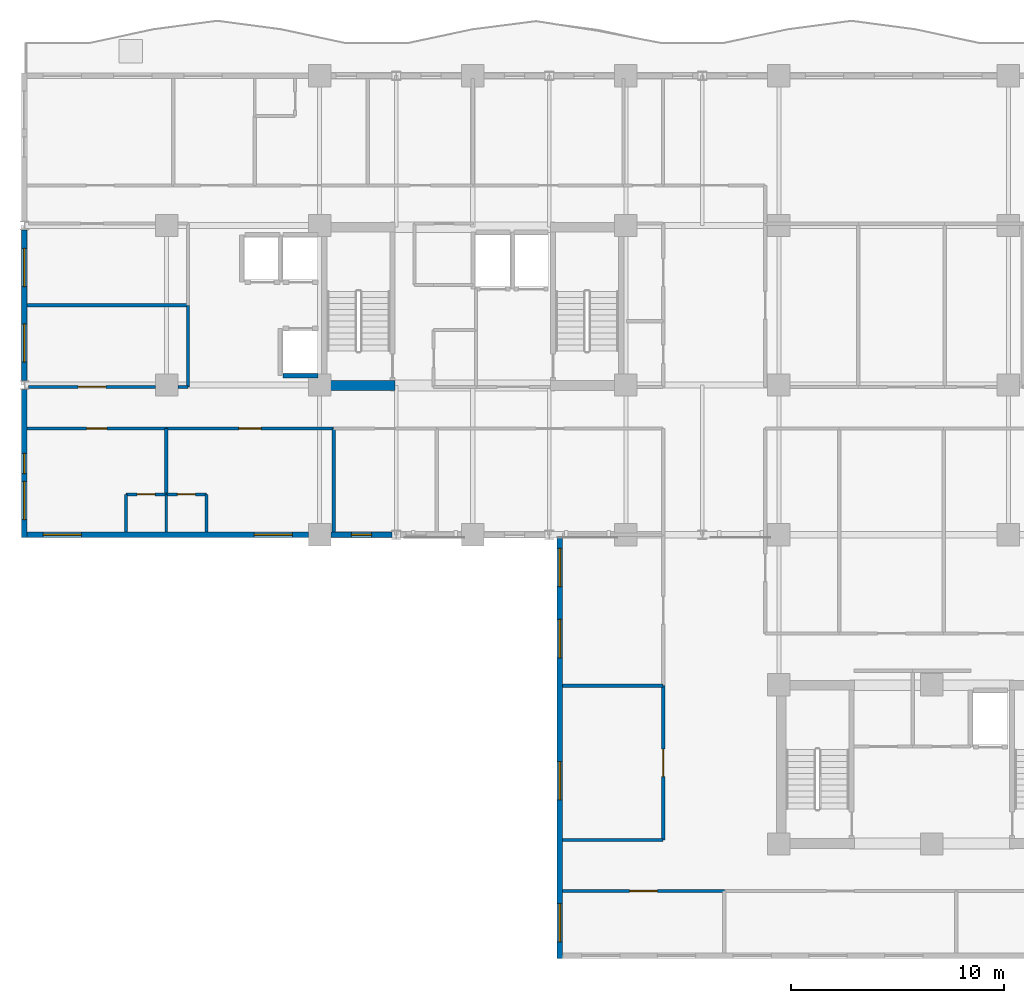
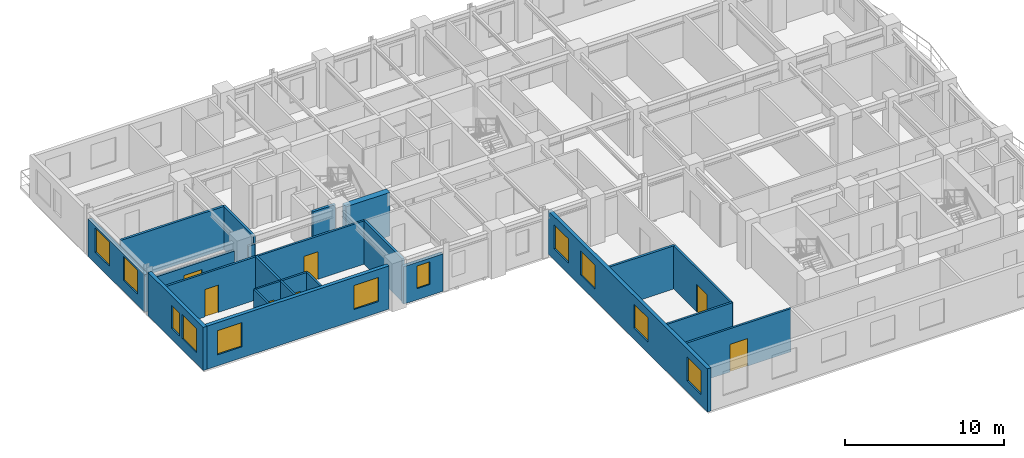
# One storey, part 4 of 13: 24 walls, 11 windows, 7 doors, 18 openings.
"""IFC4 building model written with IfcOpenShell, lengths in metres."""

from ifc_helpers import new_model, si_unit, direction, frame, frame_2d, origin, place, context, subcontext, project, spatial, rectangle, extrude, material, layer, layer_set, type_object, element, fill, save


model = new_model("IFC4")

# Units and contexts
model_context = context("Model", 3, precision=1e-05, world=origin(), true_north=direction((0.0, 1.0)))
body_context = subcontext(model_context, "Body", "Model", "MODEL_VIEW")
ifc_project = project(units=[si_unit("LENGTHUNIT", "METRE"), si_unit("AREAUNIT", "SQUARE_METRE"), si_unit("VOLUMEUNIT", "CUBIC_METRE"), si_unit("PLANEANGLEUNIT", "RADIAN"), si_unit("MASSUNIT", "GRAM", prefix="KILO")], contexts=[model_context])

# Site, building, storey
site_placement = place(None, origin())
site = spatial("IfcSite", under=ifc_project, at=site_placement, CompositionType="ELEMENT")
building_placement = place(site_placement, origin())
building = spatial("IfcBuilding", under=site, at=building_placement, Name="Kaliganga Portal Commons", CompositionType="ELEMENT")
storey_placement = place(building_placement, frame((0.0, 0.0, 188.300048828125)))
storey = spatial("IfcBuildingStorey", under=building, at=storey_placement, Name="L48", CompositionType="ELEMENT", Elevation=188.300048828125)

# Wall
ifc_material_1 = material(Name="Concrete C60/75", Category="concrete")
ifc_layer_1 = layer(ifc_material_1, 0.449951171875)
ifc_layer_set_1 = layer_set([ifc_layer_1], Name="Concrete C60/75")
wall_type_1 = type_object("IfcWallType", Name="WL-CORE-450", PredefinedType="SHEAR", material=ifc_layer_set_1)
wall_1_placement = place(storey_placement, frame((14.75, 28.625, 0.0), z_axis=(0.0, 0.0, 1.0), x_axis=(1.0, 0.0, 0.0)))
element("IfcWall", 1, at=wall_1_placement, inside=storey, type_object=wall_type_1, Name="Core A S-West Shear Wall L48", PredefinedType="SHEAR", context=body_context, shape_type="SweptSolid", body=[
    extrude(rectangle(XDim=3.199951171875, YDim=0.449951171875, at=frame_2d((1.60009765625, 0.0))), origin(), (0.0, 0.0, 1.0), 3.33984375),
])

# Wall, openings, windows
ifc_material_2 = material(Name="Insulated Aluminium-Clad Spandrel Assembly", Category="aluminium")
ifc_layer_2 = layer(ifc_material_2, 0.260009765625)
ifc_layer_set_2 = layer_set([ifc_layer_2], Name="Insulated Aluminium-Clad Spandrel Assembly")
wall_type_2 = type_object("IfcWallType", Name="WL-EXT-SPAND-260", PredefinedType="STANDARD", material=ifc_layer_set_2)
wall_2_placement = place(storey_placement, frame((0.5, 28.85791015625, 0.0), z_axis=(0.0, 0.0, 1.0), x_axis=(0.0, 1.0, 0.0)))
wall_2 = element("IfcWall", 2, at=wall_2_placement, inside=storey, type_object=wall_type_2, Name="Exterior Envelope Wall L48 P1-E03-S2", PredefinedType="STANDARD", context=body_context, shape_type="SweptSolid", body=[
    extrude(rectangle(XDim=7.083984375, YDim=0.260009765625, at=frame_2d((3.5419921875, 0.0))), origin(), (0.0, 0.0, 1.0), 2.869873046875),
])
opening_1_placement = place(wall_2_placement, frame((0.87109375, 0.0, 0.85009765625)))
opening_1 = element("IfcOpeningElement", 3, at=opening_1_placement, cuts=wall_2, Name="Opening W-01", PredefinedType="OPENING", context=body_context, shape_type="SweptSolid", body=[
    extrude(rectangle(XDim=1.800048828125, YDim=1.85009765625, at=frame_2d((0.89990234375, 0.925048828125))), frame((0.0, 0.14013671875, 0.0), z_axis=(0.0, -1.0, 0.0), x_axis=(1.0, 0.0, 0.0)), (0.0, 0.0, 1.0), 0.280029296875),
])
opening_2_placement = place(wall_2_placement, frame((4.4130859375, 0.0, 0.85009765625)))
opening_2 = element("IfcOpeningElement", 4, at=opening_2_placement, cuts=wall_2, Name="Opening W-01", PredefinedType="OPENING", context=body_context, shape_type="SweptSolid", body=[
    extrude(rectangle(XDim=1.800048828125, YDim=1.85009765625, at=frame_2d((0.89990234375, 0.925048828125))), frame((0.0, 0.14013671875, 0.0), z_axis=(0.0, -1.0, 0.0), x_axis=(1.0, 0.0, 0.0)), (0.0, 0.0, 1.0), 0.280029296875),
])
ifc_material_3 = material(Name="Thermally Broken Aluminium and Low-E Double Glazing", Category="aluminium")
window_type_1 = type_object("IfcWindowType", Name="WIN-STD-1800", PartitioningType="DOUBLE_PANEL_VERTICAL", PredefinedType="WINDOW", material=ifc_material_3)
window_1_placement = place(opening_1_placement, origin())
window_1 = element("IfcWindow", 5, at=window_1_placement, inside=storey, type_object=window_type_1, Name="Facade Window L48-P1E03S2-00", OverallHeight=1.85009765625, OverallWidth=1.800048828125, PartitioningType="SINGLE_PANEL", PredefinedType="WINDOW", context=body_context, shape_type="SweptSolid", body=[
    extrude(rectangle(XDim=1.800048828125, YDim=1.85009765625, at=frame_2d((0.89990234375, 0.925048828125))), frame((0.0, 0.030029296875, 0.0), z_axis=(0.0, -1.0, 0.0), x_axis=(1.0, 0.0, 0.0)), (0.0, 0.0, 1.0), 0.06005859375),
])
fill(opening_1, window_1)
window_2_placement = place(opening_2_placement, origin())
window_2 = element("IfcWindow", 6, at=window_2_placement, inside=storey, type_object=window_type_1, Name="Facade Window L48-P1E03S2-01", OverallHeight=1.85009765625, OverallWidth=1.800048828125, PartitioningType="SINGLE_PANEL", PredefinedType="WINDOW", context=body_context, shape_type="SweptSolid", body=[
    extrude(rectangle(XDim=1.800048828125, YDim=1.85009765625, at=frame_2d((0.89990234375, 0.925048828125))), frame((0.0, 0.030029296875, 0.0), z_axis=(0.0, -1.0, 0.0), x_axis=(1.0, 0.0, 0.0)), (0.0, 0.0, 1.0), 0.06005859375),
])
fill(opening_2, window_2)

wall_3_placement = place(storey_placement, frame((0.5, 21.469970703125, 0.0), z_axis=(0.0, 0.0, 1.0), x_axis=(0.0, 1.0, 0.0)))
wall_3 = element("IfcWall", 7, at=wall_3_placement, inside=storey, type_object=wall_type_2, Name="Exterior Envelope Wall L48 P1-E03-S3", PredefinedType="STANDARD", context=body_context, shape_type="SweptSolid", body=[
    extrude(rectangle(XDim=6.971923828125, YDim=0.260009765625, at=frame_2d((3.48583984375, 0.0))), origin(), (0.0, 0.0, 1.0), 3.320068359375),
])
opening_3_placement = place(wall_3_placement, frame((0.843017578125, 0.0, 0.85009765625)))
opening_3 = element("IfcOpeningElement", 8, at=opening_3_placement, cuts=wall_3, Name="Opening W-01", PredefinedType="OPENING", context=body_context, shape_type="SweptSolid", body=[
    extrude(rectangle(XDim=1.800048828125, YDim=1.85009765625, at=frame_2d((0.89990234375, 0.925048828125))), frame((0.0, 0.14013671875, 0.0), z_axis=(0.0, -1.0, 0.0), x_axis=(1.0, 0.0, 0.0)), (0.0, 0.0, 1.0), 0.280029296875),
])
opening_4_placement = place(wall_3_placement, frame((3.010986328125, 0.0, 0.85009765625)))
opening_4 = element("IfcOpeningElement", 9, at=opening_4_placement, cuts=wall_3, Name="Opening W-04", PredefinedType="OPENING", context=body_context, shape_type="SweptSolid", body=[
    extrude(rectangle(XDim=0.949951171875, YDim=1.75, at=frame_2d((0.47509765625, 0.875))), frame((0.0, 0.14013671875, 0.0), z_axis=(0.0, -1.0, 0.0), x_axis=(1.0, 0.0, 0.0)), (0.0, 0.0, 1.0), 0.280029296875),
])
window_type_2 = type_object("IfcWindowType", Name="WIN-NARROW-950", PartitioningType="SINGLE_PANEL", PredefinedType="WINDOW", material=ifc_material_3)
window_3_placement = place(opening_4_placement, origin())
window_3 = element("IfcWindow", 10, at=window_3_placement, inside=storey, type_object=window_type_2, Name="Facade Window L48-P1E03S3-N0", OverallHeight=1.75, OverallWidth=0.949951171875, PartitioningType="SINGLE_PANEL", PredefinedType="WINDOW", context=body_context, shape_type="SweptSolid", body=[
    extrude(rectangle(XDim=0.949951171875, YDim=1.75, at=frame_2d((0.47509765625, 0.875))), frame((0.0, 0.030029296875, 0.0), z_axis=(0.0, -1.0, 0.0), x_axis=(1.0, 0.0, 0.0)), (0.0, 0.0, 1.0), 0.06005859375),
])
fill(opening_4, window_3)
window_4_placement = place(opening_3_placement, origin())
window_4 = element("IfcWindow", 11, at=window_4_placement, inside=storey, type_object=window_type_1, Name="Facade Window L48-P1E03S3-00", OverallHeight=1.85009765625, OverallWidth=1.800048828125, PartitioningType="SINGLE_PANEL", PredefinedType="WINDOW", context=body_context, shape_type="SweptSolid", body=[
    extrude(rectangle(XDim=1.800048828125, YDim=1.85009765625, at=frame_2d((0.89990234375, 0.925048828125))), frame((0.0, 0.030029296875, 0.0), z_axis=(0.0, -1.0, 0.0), x_axis=(1.0, 0.0, 0.0)), (0.0, 0.0, 1.0), 0.06005859375),
])
fill(opening_3, window_4)

wall_4_placement = place(storey_placement, frame((13.8740234375, 21.60009765625, 0.0), z_axis=(0.0, 0.0, 1.0), x_axis=(-1.0, 0.0, 0.0)))
wall_4 = element("IfcWall", 12, at=wall_4_placement, inside=storey, type_object=wall_type_2, Name="Exterior Envelope Wall L48 P1-E04-S1", PredefinedType="STANDARD", context=body_context, shape_type="SweptSolid", body=[
    extrude(rectangle(XDim=13.239013671875, YDim=0.260009765625, at=frame_2d((6.61962890625, 0.0))), origin(), (0.0, 0.0, 1.0), 3.320068359375),
])
opening_5_placement = place(wall_4_placement, frame((0.7548828125, 0.0, 0.85009765625)))
opening_5 = element("IfcOpeningElement", 13, at=opening_5_placement, cuts=wall_4, Name="Opening W-01", PredefinedType="OPENING", context=body_context, shape_type="SweptSolid", body=[
    extrude(rectangle(XDim=1.800048828125, YDim=1.85009765625, at=frame_2d((0.89990234375, 0.925048828125))), frame((0.0, 0.14013671875, 0.0), z_axis=(0.0, -1.0, 0.0), x_axis=(1.0, 0.0, 0.0)), (0.0, 0.0, 1.0), 0.280029296875),
])
opening_6_placement = place(wall_4_placement, frame((10.68408203125, 0.0, 0.85009765625)))
opening_6 = element("IfcOpeningElement", 14, at=opening_6_placement, cuts=wall_4, Name="Opening W-01", PredefinedType="OPENING", context=body_context, shape_type="SweptSolid", body=[
    extrude(rectangle(XDim=1.800048828125, YDim=1.85009765625, at=frame_2d((0.89990234375, 0.925048828125))), frame((0.0, 0.14013671875, 0.0), z_axis=(0.0, -1.0, 0.0), x_axis=(1.0, 0.0, 0.0)), (0.0, 0.0, 1.0), 0.280029296875),
])
window_5_placement = place(opening_5_placement, origin())
window_5 = element("IfcWindow", 15, at=window_5_placement, inside=storey, type_object=window_type_1, Name="Facade Window L48-P1E04S1-00", OverallHeight=1.85009765625, OverallWidth=1.800048828125, PartitioningType="SINGLE_PANEL", PredefinedType="WINDOW", context=body_context, shape_type="SweptSolid", body=[
    extrude(rectangle(XDim=1.800048828125, YDim=1.85009765625, at=frame_2d((0.89990234375, 0.925048828125))), frame((0.0, 0.030029296875, 0.0), z_axis=(0.0, -1.0, 0.0), x_axis=(1.0, 0.0, 0.0)), (0.0, 0.0, 1.0), 0.06005859375),
])
fill(opening_5, window_5)
window_6_placement = place(opening_6_placement, origin())
window_6 = element("IfcWindow", 16, at=window_6_placement, inside=storey, type_object=window_type_1, Name="Facade Window L48-P1E04S1-03", OverallHeight=1.85009765625, OverallWidth=1.800048828125, PartitioningType="SINGLE_PANEL", PredefinedType="WINDOW", context=body_context, shape_type="SweptSolid", body=[
    extrude(rectangle(XDim=1.800048828125, YDim=1.85009765625, at=frame_2d((0.89990234375, 0.925048828125))), frame((0.0, 0.030029296875, 0.0), z_axis=(0.0, -1.0, 0.0), x_axis=(1.0, 0.0, 0.0)), (0.0, 0.0, 1.0), 0.06005859375),
])
fill(opening_6, window_6)

# Wall, opening, window
wall_5_placement = place(storey_placement, frame((17.797119140625, 21.60009765625, 0.0), z_axis=(0.0, 0.0, 1.0), x_axis=(-1.0, 0.0, 0.0)))
wall_5 = element("IfcWall", 17, at=wall_5_placement, inside=storey, type_object=wall_type_2, Name="Exterior Envelope Wall L48 P1-E04-S2", PredefinedType="STANDARD", context=body_context, shape_type="SweptSolid", body=[
    extrude(rectangle(XDim=2.87109375, YDim=0.260009765625, at=frame_2d((1.435546875, 0.0))), origin(), (0.0, 0.0, 1.0), 2.869873046875),
])
opening_7_placement = place(wall_5_placement, frame((0.96044921875, 0.0, 0.85009765625)))
opening_7 = element("IfcOpeningElement", 18, at=opening_7_placement, cuts=wall_5, Name="Opening W-04", PredefinedType="OPENING", context=body_context, shape_type="SweptSolid", body=[
    extrude(rectangle(XDim=0.949951171875, YDim=1.75, at=frame_2d((0.47509765625, 0.875))), frame((0.0, 0.14013671875, 0.0), z_axis=(0.0, -1.0, 0.0), x_axis=(1.0, 0.0, 0.0)), (0.0, 0.0, 1.0), 0.280029296875),
])
window_7_placement = place(opening_7_placement, origin())
window_7 = element("IfcWindow", 19, at=window_7_placement, inside=storey, type_object=window_type_2, Name="Facade Window L48-P1E04S2-00", OverallHeight=1.75, OverallWidth=0.949951171875, PartitioningType="SINGLE_PANEL", PredefinedType="WINDOW", context=body_context, shape_type="SweptSolid", body=[
    extrude(rectangle(XDim=0.949951171875, YDim=1.75, at=frame_2d((0.47509765625, 0.875))), frame((0.0, 0.030029296875, 0.0), z_axis=(0.0, -1.0, 0.0), x_axis=(1.0, 0.0, 0.0)), (0.0, 0.0, 1.0), 0.06005859375),
])
fill(opening_7, window_7)

# Wall, openings, windows
wall_6_placement = place(storey_placement, frame((25.699951171875, 1.669921875, 0.0), z_axis=(0.0, 0.0, 1.0), x_axis=(0.0, 1.0, 0.0)))
wall_6 = element("IfcWall", 20, at=wall_6_placement, inside=storey, type_object=wall_type_2, Name="Exterior Envelope Wall L48 P1-E05-S1", PredefinedType="STANDARD", context=body_context, shape_type="SweptSolid", body=[
    extrude(rectangle(XDim=20.06005859375, YDim=0.260009765625, at=frame_2d((10.030029296875, 0.0))), origin(), (0.0, 0.0, 1.0), 3.320068359375),
])
opening_8_placement = place(wall_6_placement, frame((0.771728515625, 0.0, 0.85009765625)))
opening_8 = element("IfcOpeningElement", 21, at=opening_8_placement, cuts=wall_6, Name="Opening W-01", PredefinedType="OPENING", context=body_context, shape_type="SweptSolid", body=[
    extrude(rectangle(XDim=1.800048828125, YDim=1.85009765625, at=frame_2d((0.89990234375, 0.925048828125))), frame((0.0, 0.14013671875, 0.0), z_axis=(0.0, -1.0, 0.0), x_axis=(1.0, 0.0, 0.0)), (0.0, 0.0, 1.0), 0.280029296875),
])
opening_9_placement = place(wall_6_placement, frame((7.458251953125, 0.0, 0.85009765625)))
opening_9 = element("IfcOpeningElement", 22, at=opening_9_placement, cuts=wall_6, Name="Opening W-01", PredefinedType="OPENING", context=body_context, shape_type="SweptSolid", body=[
    extrude(rectangle(XDim=1.800048828125, YDim=1.85009765625, at=frame_2d((0.89990234375, 0.925048828125))), frame((0.0, 0.14013671875, 0.0), z_axis=(0.0, -1.0, 0.0), x_axis=(1.0, 0.0, 0.0)), (0.0, 0.0, 1.0), 0.280029296875),
])
opening_10_placement = place(wall_6_placement, frame((14.14501953125, 0.0, 0.85009765625)))
opening_10 = element("IfcOpeningElement", 23, at=opening_10_placement, cuts=wall_6, Name="Opening W-01", PredefinedType="OPENING", context=body_context, shape_type="SweptSolid", body=[
    extrude(rectangle(XDim=1.800048828125, YDim=1.85009765625, at=frame_2d((0.89990234375, 0.925048828125))), frame((0.0, 0.14013671875, 0.0), z_axis=(0.0, -1.0, 0.0), x_axis=(1.0, 0.0, 0.0)), (0.0, 0.0, 1.0), 0.280029296875),
])
opening_11_placement = place(wall_6_placement, frame((17.48828125, 0.0, 0.85009765625)))
opening_11 = element("IfcOpeningElement", 24, at=opening_11_placement, cuts=wall_6, Name="Opening W-01", PredefinedType="OPENING", context=body_context, shape_type="SweptSolid", body=[
    extrude(rectangle(XDim=1.800048828125, YDim=1.85009765625, at=frame_2d((0.89990234375, 0.925048828125))), frame((0.0, 0.14013671875, 0.0), z_axis=(0.0, -1.0, 0.0), x_axis=(1.0, 0.0, 0.0)), (0.0, 0.0, 1.0), 0.280029296875),
])
window_8_placement = place(opening_8_placement, origin())
window_8 = element("IfcWindow", 25, at=window_8_placement, inside=storey, type_object=window_type_1, Name="Facade Window L48-P1E05S1-00", OverallHeight=1.85009765625, OverallWidth=1.800048828125, PartitioningType="SINGLE_PANEL", PredefinedType="WINDOW", context=body_context, shape_type="SweptSolid", body=[
    extrude(rectangle(XDim=1.800048828125, YDim=1.85009765625, at=frame_2d((0.89990234375, 0.925048828125))), frame((0.0, 0.030029296875, 0.0), z_axis=(0.0, -1.0, 0.0), x_axis=(1.0, 0.0, 0.0)), (0.0, 0.0, 1.0), 0.06005859375),
])
fill(opening_8, window_8)
window_9_placement = place(opening_9_placement, origin())
window_9 = element("IfcWindow", 26, at=window_9_placement, inside=storey, type_object=window_type_1, Name="Facade Window L48-P1E05S1-02", OverallHeight=1.85009765625, OverallWidth=1.800048828125, PartitioningType="SINGLE_PANEL", PredefinedType="WINDOW", context=body_context, shape_type="SweptSolid", body=[
    extrude(rectangle(XDim=1.800048828125, YDim=1.85009765625, at=frame_2d((0.89990234375, 0.925048828125))), frame((0.0, 0.030029296875, 0.0), z_axis=(0.0, -1.0, 0.0), x_axis=(1.0, 0.0, 0.0)), (0.0, 0.0, 1.0), 0.06005859375),
])
fill(opening_9, window_9)
window_10_placement = place(opening_10_placement, origin())
window_10 = element("IfcWindow", 27, at=window_10_placement, inside=storey, type_object=window_type_1, Name="Facade Window L48-P1E05S1-04", OverallHeight=1.85009765625, OverallWidth=1.800048828125, PartitioningType="SINGLE_PANEL", PredefinedType="WINDOW", context=body_context, shape_type="SweptSolid", body=[
    extrude(rectangle(XDim=1.800048828125, YDim=1.85009765625, at=frame_2d((0.89990234375, 0.925048828125))), frame((0.0, 0.030029296875, 0.0), z_axis=(0.0, -1.0, 0.0), x_axis=(1.0, 0.0, 0.0)), (0.0, 0.0, 1.0), 0.06005859375),
])
fill(opening_10, window_10)
window_11_placement = place(opening_11_placement, origin())
window_11 = element("IfcWindow", 28, at=window_11_placement, inside=storey, type_object=window_type_1, Name="Facade Window L48-P1E05S1-05", OverallHeight=1.85009765625, OverallWidth=1.800048828125, PartitioningType="SINGLE_PANEL", PredefinedType="WINDOW", context=body_context, shape_type="SweptSolid", body=[
    extrude(rectangle(XDim=1.800048828125, YDim=1.85009765625, at=frame_2d((0.89990234375, 0.925048828125))), frame((0.0, 0.030029296875, 0.0), z_axis=(0.0, -1.0, 0.0), x_axis=(1.0, 0.0, 0.0)), (0.0, 0.0, 1.0), 0.06005859375),
])
fill(opening_11, window_11)

# Wall, opening, door
ifc_material_4 = material(Name="Fire-Rated Gypsum Board on Steel Stud", Category="steel")
ifc_layer_3 = layer(ifc_material_4, 0.14990234375)
ifc_layer_set_3 = layer_set([ifc_layer_3], Name="Fire-Rated Gypsum Board on Steel Stud")
wall_type_3 = type_object("IfcWallType", Name="WL-PART-CORR-150", PredefinedType="PARTITIONING", material=ifc_layer_set_3)
wall_7_placement = place(storey_placement, frame((7.179931640625, 26.60009765625, 0.0), z_axis=(0.0, 0.0, 1.0), x_axis=(1.0, 0.0, 0.0)))
wall_7 = element("IfcWall", 29, at=wall_7_placement, inside=storey, type_object=wall_type_3, Name="Interior Partition L48-013", PredefinedType="PARTITIONING", context=body_context, shape_type="SweptSolid", body=[
    extrude(rectangle(XDim=7.880126953125, YDim=0.14990234375, at=frame_2d((3.93994140625, 0.0))), origin(), (0.0, 0.0, 1.0), 3.320068359375),
])
opening_12_placement = place(wall_7_placement, frame((3.4150390625, 0.0, 0.0)))
opening_12 = element("IfcOpeningElement", 30, at=opening_12_placement, cuts=wall_7, Name="Opening UD-02", PredefinedType="OPENING", context=body_context, shape_type="SweptSolid", body=[
    extrude(rectangle(XDim=1.050048828125, YDim=2.1201171875, at=frame_2d((0.52490234375, 1.06005859375))), frame((0.0, 0.0849609375, 0.0), z_axis=(0.0, -1.0, 0.0), x_axis=(1.0, 0.0, 0.0)), (0.0, 0.0, 1.0), 0.169921875),
])
ifc_material_5 = material(Name="Accessible Wide-Leaf Acoustic Fire Door", Category="wood")
door_type_1 = type_object("IfcDoorType", Name="DR-ACC-1050", OperationType="NOTDEFINED", PredefinedType="DOOR", material=ifc_material_5)
door_1_placement = place(opening_12_placement, origin())
door_1 = element("IfcDoor", 31, at=door_1_placement, inside=storey, type_object=door_type_1, Name="Interior Door L48-AS02", OperationType="SINGLE_SWING_LEFT", OverallHeight=2.1201171875, OverallWidth=1.050048828125, PredefinedType="DOOR", context=body_context, shape_type="SweptSolid", body=[
    extrude(rectangle(XDim=1.050048828125, YDim=2.1201171875, at=frame_2d((0.52490234375, 1.06005859375))), frame((0.0, 0.02490234375, 0.0), z_axis=(0.0, -1.0, 0.0), x_axis=(1.0, 0.0, 0.0)), (0.0, 0.0, 1.0), 0.050048828125),
])
fill(opening_12, door_1)

wall_8_placement = place(storey_placement, frame((25.83203125, 4.840087890625, 0.0), z_axis=(0.0, 0.0, 1.0), x_axis=(1.0, 0.0, 0.0)))
wall_8 = element("IfcWall", 32, at=wall_8_placement, inside=storey, type_object=wall_type_3, Name="Interior Partition L48-014", PredefinedType="PARTITIONING", context=body_context, shape_type="SweptSolid", body=[
    extrude(rectangle(XDim=7.60791015625, YDim=0.14990234375, at=frame_2d((3.803955078125, 0.0))), origin(), (0.0, 0.0, 1.0), 3.320068359375),
])
opening_13_placement = place(wall_8_placement, frame((3.154052734375, 0.0, 0.0)))
opening_13 = element("IfcOpeningElement", 33, at=opening_13_placement, cuts=wall_8, Name="Opening RD-03", PredefinedType="OPENING", context=body_context, shape_type="SweptSolid", body=[
    extrude(rectangle(XDim=1.300048828125, YDim=2.1201171875, at=frame_2d((0.64990234375, 1.06005859375))), frame((0.0, 0.0849609375, 0.0), z_axis=(0.0, -1.0, 0.0), x_axis=(1.0, 0.0, 0.0)), (0.0, 0.0, 1.0), 0.169921875),
])
ifc_material_6 = material(Name="Glazed Timber Seminar Vision Door", Category="wood")
door_type_2 = type_object("IfcDoorType", Name="DR-STUDY-1300", OperationType="DOUBLE_DOOR_SINGLE_SWING", PredefinedType="DOOR", material=ifc_material_6)
door_2_placement = place(opening_13_placement, origin())
door_2 = element("IfcDoor", 34, at=door_2_placement, inside=storey, type_object=door_type_2, Name="Interior Door L48-BS01", OperationType="DOUBLE_DOOR_SINGLE_SWING", OverallHeight=2.1201171875, OverallWidth=1.300048828125, PredefinedType="DOOR", context=body_context, shape_type="SweptSolid", body=[
    extrude(rectangle(XDim=1.300048828125, YDim=2.1201171875, at=frame_2d((0.64990234375, 1.06005859375))), frame((0.0, 0.02490234375, 0.0), z_axis=(0.0, -1.0, 0.0), x_axis=(1.0, 0.0, 0.0)), (0.0, 0.0, 1.0), 0.050048828125),
])
fill(opening_13, door_2)

wall_9_placement = place(storey_placement, frame((0.701904296875, 28.56005859375, 0.0), z_axis=(0.0, 0.0, 1.0), x_axis=(1.0, 0.0, 0.0)))
wall_9 = element("IfcWall", 35, at=wall_9_placement, inside=storey, type_object=wall_type_3, Name="Interior Partition L48-015", PredefinedType="PARTITIONING", context=body_context, shape_type="SweptSolid", body=[
    extrude(rectangle(XDim=5.97314453125, YDim=0.14990234375, at=frame_2d((2.986572265625, 0.0))), origin(), (0.0, 0.0, 1.0), 2.719970703125),
])
opening_14_placement = place(wall_9_placement, frame((2.33642578125, 0.0, 0.0)))
opening_14 = element("IfcOpeningElement", 36, at=opening_14_placement, cuts=wall_9, Name="Opening RD-03", PredefinedType="OPENING", context=body_context, shape_type="SweptSolid", body=[
    extrude(rectangle(XDim=1.300048828125, YDim=2.1201171875, at=frame_2d((0.64990234375, 1.06005859375))), frame((0.0, 0.0849609375, 0.0), z_axis=(0.0, -1.0, 0.0), x_axis=(1.0, 0.0, 0.0)), (0.0, 0.0, 1.0), 0.169921875),
])
door_3_placement = place(opening_14_placement, origin())
door_3 = element("IfcDoor", 37, at=door_3_placement, inside=storey, type_object=door_type_2, Name="Interior Door L48-AW01", OperationType="DOUBLE_DOOR_SINGLE_SWING", OverallHeight=2.1201171875, OverallWidth=1.300048828125, PredefinedType="DOOR", context=body_context, shape_type="SweptSolid", body=[
    extrude(rectangle(XDim=1.300048828125, YDim=2.1201171875, at=frame_2d((0.64990234375, 1.06005859375))), frame((0.0, 0.02490234375, 0.0), z_axis=(0.0, -1.0, 0.0), x_axis=(1.0, 0.0, 0.0)), (0.0, 0.0, 1.0), 0.050048828125),
])
fill(opening_14, door_3)

# Wall
wall_10_placement = place(storey_placement, frame((7.72509765625, 28.56005859375, 0.0), z_axis=(0.0, 0.0, 1.0), x_axis=(1.0, 0.0, 0.0)))
element("IfcWall", 38, at=wall_10_placement, inside=storey, type_object=wall_type_3, Name="Interior Partition L48-016", PredefinedType="PARTITIONING", context=body_context, shape_type="SweptSolid", body=[
    extrude(rectangle(XDim=0.474853515625, YDim=0.14990234375, at=frame_2d((0.2373046875, 0.0))), origin(), (0.0, 0.0, 1.0), 2.719970703125),
])

# Wall, opening, door
wall_11_placement = place(storey_placement, frame((30.56005859375, 7.239990234375, 0.0), z_axis=(0.0, 0.0, 1.0), x_axis=(0.0, 1.0, 0.0)))
wall_11 = element("IfcWall", 39, at=wall_11_placement, inside=storey, type_object=wall_type_3, Name="Interior Partition L48-020", PredefinedType="PARTITIONING", context=body_context, shape_type="SweptSolid", body=[
    extrude(rectangle(XDim=7.260009765625, YDim=0.14990234375, at=frame_2d((3.6298828125, 0.0))), origin(), (0.0, 0.0, 1.0), 3.320068359375),
])
opening_15_placement = place(wall_11_placement, frame((2.97998046875, 0.0, 0.0)))
opening_15 = element("IfcOpeningElement", 40, at=opening_15_placement, cuts=wall_11, Name="Opening RD-03", PredefinedType="OPENING", context=body_context, shape_type="SweptSolid", body=[
    extrude(rectangle(XDim=1.300048828125, YDim=2.1201171875, at=frame_2d((0.64990234375, 1.06005859375))), frame((0.0, 0.0849609375, 0.0), z_axis=(0.0, -1.0, 0.0), x_axis=(1.0, 0.0, 0.0)), (0.0, 0.0, 1.0), 0.169921875),
])
door_4_placement = place(opening_15_placement, origin())
door_4 = element("IfcDoor", 41, at=door_4_placement, inside=storey, type_object=door_type_2, Name="Interior Door L48-KW01", OperationType="DOUBLE_DOOR_SINGLE_SWING", OverallHeight=2.1201171875, OverallWidth=1.300048828125, PredefinedType="DOOR", context=body_context, shape_type="SweptSolid", body=[
    extrude(rectangle(XDim=1.300048828125, YDim=2.1201171875, at=frame_2d((0.64990234375, 1.06005859375))), frame((0.0, 0.02490234375, 0.0), z_axis=(0.0, -1.0, 0.0), x_axis=(1.0, 0.0, 0.0)), (0.0, 0.0, 1.0), 0.050048828125),
])
fill(opening_15, door_4)

wall_12_placement = place(storey_placement, frame((0.632080078125, 26.60009765625, 0.0), z_axis=(0.0, 0.0, 1.0), x_axis=(1.0, 0.0, 0.0)))
wall_12 = element("IfcWall", 42, at=wall_12_placement, inside=storey, type_object=wall_type_3, Name="Interior Partition L48-026", PredefinedType="PARTITIONING", context=body_context, shape_type="SweptSolid", body=[
    extrude(rectangle(XDim=6.5478515625, YDim=0.14990234375, at=frame_2d((3.27392578125, 0.0))), origin(), (0.0, 0.0, 1.0), 3.320068359375),
])
opening_16_placement = place(wall_12_placement, frame((2.799072265625, 0.0, 0.0)))
opening_16 = element("IfcOpeningElement", 43, at=opening_16_placement, cuts=wall_12, Name="Opening UD-01", PredefinedType="OPENING", context=body_context, shape_type="SweptSolid", body=[
    extrude(rectangle(XDim=0.949951171875, YDim=2.10009765625, at=frame_2d((0.47509765625, 1.050048828125))), frame((0.0, 0.0849609375, 0.0), z_axis=(0.0, -1.0, 0.0), x_axis=(1.0, 0.0, 0.0)), (0.0, 0.0, 1.0), 0.169921875),
])
ifc_material_7 = material(Name="Solid-Core Timber Acoustic Fire Door", Category="wood")
door_type_3 = type_object("IfcDoorType", Name="DR-UNIT-950", OperationType="NOTDEFINED", PredefinedType="DOOR", material=ifc_material_7)
door_5_placement = place(opening_16_placement, origin())
door_5 = element("IfcDoor", 44, at=door_5_placement, inside=storey, type_object=door_type_3, Name="Interior Door L48-AS01", OperationType="SINGLE_SWING_LEFT", OverallHeight=2.10009765625, OverallWidth=0.949951171875, PredefinedType="DOOR", context=body_context, shape_type="SweptSolid", body=[
    extrude(rectangle(XDim=0.949951171875, YDim=2.10009765625, at=frame_2d((0.47509765625, 1.050048828125))), frame((0.0, 0.02490234375, 0.0), z_axis=(0.0, -1.0, 0.0), x_axis=(1.0, 0.0, 0.0)), (0.0, 0.0, 1.0), 0.050048828125),
])
fill(opening_16, door_5)

# Walls
wall_13_placement = place(storey_placement, frame((25.83203125, 7.239990234375, 0.0), z_axis=(0.0, 0.0, 1.0), x_axis=(1.0, 0.0, 0.0)))
element("IfcWall", 45, at=wall_13_placement, inside=storey, type_object=wall_type_3, Name="Interior Partition L48-032", PredefinedType="PARTITIONING", context=body_context, shape_type="SweptSolid", body=[
    extrude(rectangle(XDim=4.72802734375, YDim=0.14990234375, at=frame_2d((2.364013671875, 0.0))), origin(), (0.0, 0.0, 1.0), 3.320068359375),
])
wall_14_placement = place(storey_placement, frame((8.199951171875, 28.56005859375, 0.0), z_axis=(0.0, 0.0, 1.0), x_axis=(0.0, 1.0, 0.0)))
element("IfcWall", 46, at=wall_14_placement, inside=storey, type_object=wall_type_3, Name="Interior Partition L48-041", PredefinedType="PARTITIONING", context=body_context, shape_type="SweptSolid", body=[
    extrude(rectangle(XDim=3.83984375, YDim=0.14990234375, at=frame_2d((1.919921875, 0.0))), origin(), (0.0, 0.0, 1.0), 3.320068359375),
])
ifc_material_8 = material(Name="Twin-Stud Acoustic Gypsum Partition", Category="gypsum")
ifc_layer_4 = layer(ifc_material_8, 0.1650390625)
ifc_layer_set_4 = layer_set([ifc_layer_4], Name="Twin-Stud Acoustic Gypsum Partition")
wall_type_4 = type_object("IfcWallType", Name="WL-PART-UNIT-165", PredefinedType="PARTITIONING", material=ifc_layer_set_4)
wall_15_placement = place(storey_placement, frame((0.632080078125, 32.39990234375, 0.0), z_axis=(0.0, 0.0, 1.0), x_axis=(1.0, 0.0, 0.0)))
element("IfcWall", 47, at=wall_15_placement, inside=storey, type_object=wall_type_4, Name="Interior Partition L48-071", PredefinedType="PARTITIONING", context=body_context, shape_type="SweptSolid", body=[
    extrude(rectangle(XDim=7.56787109375, YDim=0.1650390625, at=frame_2d((3.783935546875, 0.0))), origin(), (0.0, 0.0, 1.0), 3.320068359375),
])
wall_16_placement = place(storey_placement, frame((15.06005859375, 21.73193359375, 0.0), z_axis=(0.0, 0.0, 1.0), x_axis=(0.0, 1.0, 0.0)))
element("IfcWall", 48, at=wall_16_placement, inside=storey, type_object=wall_type_4, Name="Interior Partition L48-081", PredefinedType="PARTITIONING", context=body_context, shape_type="SweptSolid", body=[
    extrude(rectangle(XDim=4.8681640625, YDim=0.1650390625, at=frame_2d((2.43408203125, 0.0))), origin(), (0.0, 0.0, 1.0), 3.320068359375),
])
wall_17_placement = place(storey_placement, frame((25.83203125, 14.5, 0.0), z_axis=(0.0, 0.0, 1.0), x_axis=(1.0, 0.0, 0.0)))
element("IfcWall", 49, at=wall_17_placement, inside=storey, type_object=wall_type_4, Name="Interior Partition L48-083", PredefinedType="PARTITIONING", context=body_context, shape_type="SweptSolid", body=[
    extrude(rectangle(XDim=4.72802734375, YDim=0.1650390625, at=frame_2d((2.364013671875, 0.0))), origin(), (0.0, 0.0, 1.0), 3.320068359375),
])
wall_18_placement = place(storey_placement, frame((7.179931640625, 23.5, 0.0), z_axis=(0.0, 0.0, 1.0), x_axis=(0.0, 1.0, 0.0)))
element("IfcWall", 50, at=wall_18_placement, inside=storey, type_object=wall_type_4, Name="Interior Partition L48-091", PredefinedType="PARTITIONING", context=body_context, shape_type="SweptSolid", body=[
    extrude(rectangle(XDim=3.10009765625, YDim=0.1650390625, at=frame_2d((1.550048828125, 0.0))), origin(), (0.0, 0.0, 1.0), 3.320068359375),
])

# Wall, opening, door
ifc_material_9 = material(Name="Cement-Board Wet-Room Partition", Category="gypsum")
ifc_layer_5 = layer(ifc_material_9, 0.135009765625)
ifc_layer_set_5 = layer_set([ifc_layer_5], Name="Cement-Board Wet-Room Partition")
wall_type_5 = type_object("IfcWallType", Name="WL-PART-WET-135", PredefinedType="PARTITIONING", material=ifc_layer_set_5)
wall_19_placement = place(storey_placement, frame((7.179931640625, 23.5, 0.0), z_axis=(0.0, 0.0, 1.0), x_axis=(1.0, 0.0, 0.0)))
wall_19 = element("IfcWall", 51, at=wall_19_placement, inside=storey, type_object=wall_type_5, Name="Interior Partition L48-003", PredefinedType="PARTITIONING", context=body_context, shape_type="SweptSolid", body=[
    extrude(rectangle(XDim=1.900146484375, YDim=0.135009765625, at=frame_2d((0.9501953125, 0.0))), origin(), (0.0, 0.0, 1.0), 3.320068359375),
])
opening_17_placement = place(wall_19_placement, frame((0.52490234375, 0.0, 0.0)))
opening_17 = element("IfcOpeningElement", 52, at=opening_17_placement, cuts=wall_19, Name="Opening WD-01", PredefinedType="OPENING", context=body_context, shape_type="SweptSolid", body=[
    extrude(rectangle(XDim=0.85009765625, YDim=2.0400390625, at=frame_2d((0.425048828125, 1.02001953125))), frame((0.0, 0.07763671875, 0.0), z_axis=(0.0, -1.0, 0.0), x_axis=(1.0, 0.0, 0.0)), (0.0, 0.0, 1.0), 0.155029296875),
])
ifc_material_10 = material(Name="Moisture-Resistant Laminate Timber Door", Category="wood")
door_type_4 = type_object("IfcDoorType", Name="DR-WET-850", OperationType="NOTDEFINED", PredefinedType="DOOR", material=ifc_material_10)
door_6_placement = place(opening_17_placement, origin())
door_6 = element("IfcDoor", 53, at=door_6_placement, inside=storey, type_object=door_type_4, Name="Interior Door L48-AS02E", OperationType="SINGLE_SWING_LEFT", OverallHeight=2.0400390625, OverallWidth=0.85009765625, PredefinedType="DOOR", context=body_context, shape_type="SweptSolid", body=[
    extrude(rectangle(XDim=0.85009765625, YDim=2.0400390625, at=frame_2d((0.425048828125, 1.02001953125))), frame((0.0, 0.02490234375, 0.0), z_axis=(0.0, -1.0, 0.0), x_axis=(1.0, 0.0, 0.0)), (0.0, 0.0, 1.0), 0.050048828125),
])
fill(opening_17, door_6)

wall_20_placement = place(storey_placement, frame((5.280029296875, 23.5, 0.0), z_axis=(0.0, 0.0, 1.0), x_axis=(1.0, 0.0, 0.0)))
wall_20 = element("IfcWall", 54, at=wall_20_placement, inside=storey, type_object=wall_type_5, Name="Interior Partition L48-005", PredefinedType="PARTITIONING", context=body_context, shape_type="SweptSolid", body=[
    extrude(rectangle(XDim=1.89990234375, YDim=0.135009765625, at=frame_2d((0.949951171875, 0.0))), origin(), (0.0, 0.0, 1.0), 3.320068359375),
])
opening_18_placement = place(wall_20_placement, frame((0.52490234375, 0.0, 0.0)))
opening_18 = element("IfcOpeningElement", 55, at=opening_18_placement, cuts=wall_20, Name="Opening WD-01", PredefinedType="OPENING", context=body_context, shape_type="SweptSolid", body=[
    extrude(rectangle(XDim=0.85009765625, YDim=2.0400390625, at=frame_2d((0.425048828125, 1.02001953125))), frame((0.0, 0.07763671875, 0.0), z_axis=(0.0, -1.0, 0.0), x_axis=(1.0, 0.0, 0.0)), (0.0, 0.0, 1.0), 0.155029296875),
])
door_7_placement = place(opening_18_placement, origin())
door_7 = element("IfcDoor", 56, at=door_7_placement, inside=storey, type_object=door_type_4, Name="Interior Door L48-AS01E", OperationType="SINGLE_SWING_RIGHT", OverallHeight=2.0400390625, OverallWidth=0.85009765625, PredefinedType="DOOR", context=body_context, shape_type="SweptSolid", body=[
    extrude(rectangle(XDim=0.85009765625, YDim=2.0400390625, at=frame_2d((0.425048828125, 1.02001953125))), frame((0.0, 0.02490234375, 0.0), z_axis=(0.0, -1.0, 0.0), x_axis=(1.0, 0.0, 0.0)), (0.0, 0.0, 1.0), 0.050048828125),
])
fill(opening_18, door_7)

# Walls
for number, where, z_axis, x_axis, name in (
    (57, (5.280029296875, 21.73193359375, 0.0), (0.0, 0.0, 1.0), (0.0, 1.0, 0.0), "Interior Partition L48-006"),
    (58, (7.179931640625, 21.73193359375, 0.0), (0.0, 0.0, 1.0), (0.0, 1.0, 0.0), "Interior Partition L48-007"),
    (59, (9.080078125, 21.73193359375, 0.0), (0.0, 0.0, 1.0), (0.0, 1.0, 0.0), "Interior Partition L48-008"),
):
    element("IfcWall", number, at=place(storey_placement, frame(where, z_axis=z_axis, x_axis=x_axis)), inside=storey, type_object=wall_type_5, Name=name, PredefinedType="PARTITIONING", context=body_context, shape_type="SweptSolid", body=[
        extrude(rectangle(XDim=1.76806640625, YDim=0.135009765625, at=frame_2d((0.884033203125, 0.0))), origin(), (0.0, 0.0, 1.0), 3.320068359375),
    ])
ifc_material_11 = material(Name="Fire-Rated Shaftwall Masonry Assembly", Category="masonry")
ifc_layer_6 = layer(ifc_material_11, 0.199951171875)
ifc_layer_set_6 = layer_set([ifc_layer_6], Name="Fire-Rated Shaftwall Masonry Assembly")
wall_type_6 = type_object("IfcWallType", Name="WL-SHAFT-200", PredefinedType="PARTITIONING", material=ifc_layer_set_6)
wall_21_placement = place(storey_placement, frame((12.675048828125, 29.0849609375, 0.0), z_axis=(0.0, 0.0, 1.0), x_axis=(1.0, 0.0, 0.0)))
element("IfcWall", 60, at=wall_21_placement, inside=storey, type_object=wall_type_6, Name="Lift PL-A4 Hoistway Shaft Wall L48-S", PredefinedType="PARTITIONING", context=body_context, shape_type="SweptSolid", body=[
    extrude(rectangle(XDim=1.64990234375, YDim=0.199951171875, at=frame_2d((0.824951171875, 0.0))), origin(), (0.0, 0.0, 1.0), 3.320068359375),
])

save(model, "model.ifc")
